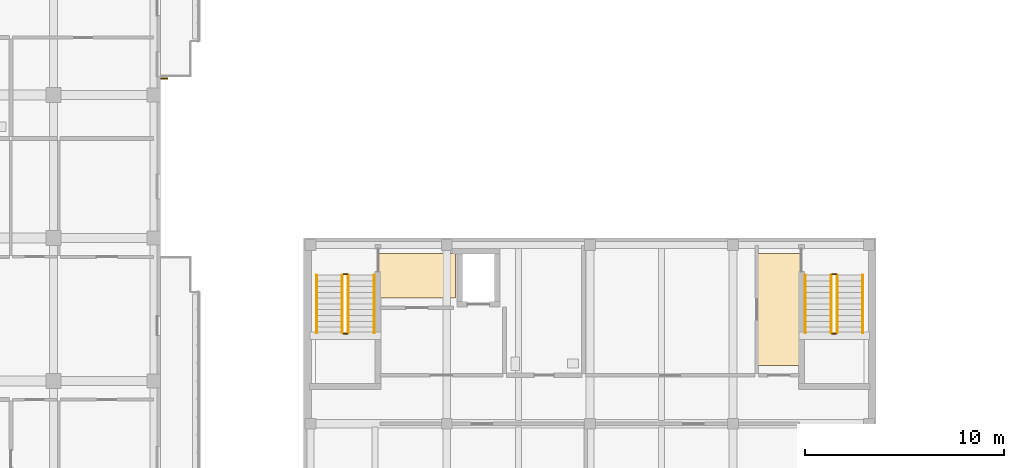
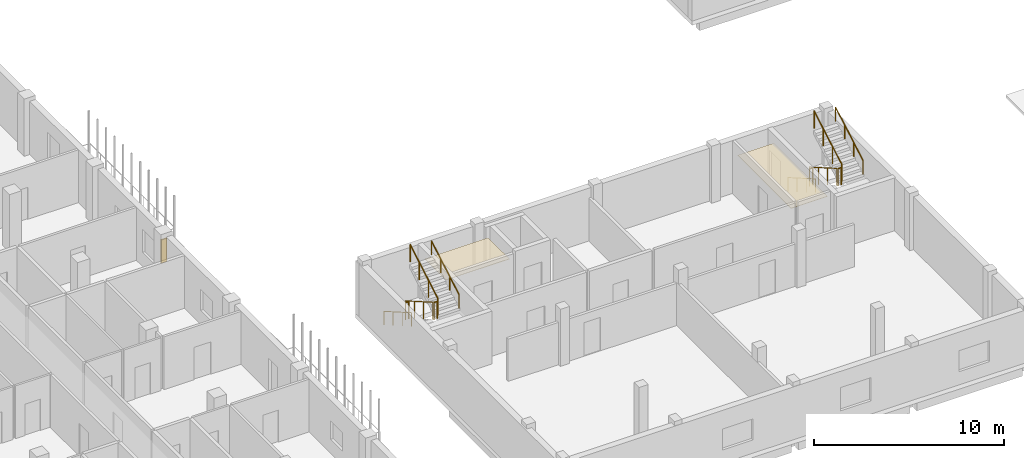
# One storey, part 58 of 73: 12 railings, 2 coverings, 1 shading device.
"""IFC4 building model written with IfcOpenShell, lengths in metres."""

from ifc_helpers import new_model, si_unit, derived_unit, direction, frame, origin, origin_2d, place, context, subcontext, project, spatial, polyline, rectangle, circle, outline, extrude, material, layer, layer_set, type_object, element, save


model = new_model("IFC4")

# Units and contexts
model_context = context("Model", 3, precision=1e-05, world=origin(), true_north=direction((0.0, 1.0)))
body_context = subcontext(model_context, "Body", "Model", "MODEL_VIEW")
ifc_project = project(units=[si_unit("LENGTHUNIT", "METRE"), si_unit("AREAUNIT", "SQUARE_METRE"), si_unit("VOLUMEUNIT", "CUBIC_METRE"), si_unit("PLANEANGLEUNIT", "RADIAN"), si_unit("MASSUNIT", "GRAM", prefix="KILO"), derived_unit("THERMALTRANSMITTANCEUNIT", [(si_unit("MASSUNIT", "GRAM", prefix="KILO"), 1), (si_unit("TIMEUNIT", "SECOND"), -3), (si_unit("THERMODYNAMICTEMPERATUREUNIT", "KELVIN"), -1)])], contexts=[model_context])

# Site, building, storey
site_placement = place(None, origin())
site = spatial("IfcSite", under=ifc_project, at=site_placement, CompositionType="ELEMENT")
building_placement = place(site_placement, origin())
building = spatial("IfcBuilding", under=site, at=building_placement, Name="Ochrekiln Boulevard Commons", CompositionType="ELEMENT")
storey_placement = place(building_placement, frame((0.0, 0.0, 4.89990234375)))
storey = spatial("IfcBuildingStorey", under=building, at=storey_placement, Name="L01", CompositionType="ELEMENT", Elevation=4.89990234375)

# Coverings
ifc_material_1 = material(Name="Mineral-fibre acoustic ceiling tile")
ifc_layer = layer(ifc_material_1, 0.02490234375)
ifc_layer_set = layer_set([ifc_layer], Name="Mineral-fibre acoustic ceiling tile")
covering_type = type_object("IfcCoveringType", Name="COV-CEIL-AC", PredefinedType="CEILING", material=ifc_layer_set)
covering_1_placement = place(storey_placement, frame((0.0, 0.0, 2.650146484375)))
element("IfcCovering", 1, at=covering_1_placement, inside=storey, type_object=covering_type, Name="L01 Acoustic Corridor Ceiling 27", PredefinedType="CEILING", context=body_context, shape_type="SweptSolid", body=[
    extrude(outline(polyline([(32.570068359375, 18.580078125), (36.429931640625, 18.580078125), (36.429931640625, 20.820068359375), (32.570068359375, 20.820068359375), (32.570068359375, 18.580078125)])), origin(), (0.0, 0.0, 1.0), 0.02490234375),
])
covering_2_placement = place(storey_placement, frame((0.0, 0.0, 2.650146484375)))
element("IfcCovering", 2, at=covering_2_placement, inside=storey, type_object=covering_type, Name="L01 Acoustic Corridor Ceiling 28", PredefinedType="CEILING", context=body_context, shape_type="SweptSolid", body=[
    extrude(outline(polyline([(51.6201171875, 15.179931640625), (53.830078125, 15.179931640625), (53.830078125, 20.820068359375), (51.6201171875, 20.820068359375), (51.6201171875, 15.179931640625)])), origin(), (0.0, 0.0, 1.0), 0.02490234375),
])

# Railings
ifc_material_2 = material(Name="Brushed stainless steel 316 tubular railing", Category="steel")
railing_type_1 = type_object("IfcRailingType", Name="RLG-HDR-900", PredefinedType="HANDRAIL", material=ifc_material_2)
railing_1_placement = place(storey_placement, frame((29.449951171875, 19.72998046875, 0.167236328125)))
element("IfcRailing", 3, at=railing_1_placement, inside=storey, type_object=railing_type_1, Name="L01 ST-W1 stair handrail 1", PredefinedType="HANDRAIL", context=body_context, shape_type="SweptSolid", body=[
    extrude(circle(Radius=0.02392578125, at=origin_2d()), frame((0.0, 0.0, 0.8759765625), z_axis=(0.0, -0.866523023801, 0.499137104634), x_axis=(1.0, 0.0, 0.0)), (0.0, 0.0, 1.0), 3.3466796875),
    extrude(circle(Radius=0.02099609375, at=origin_2d()), origin(), (0.0, 0.0, 1.0), 0.851806640625),
    extrude(circle(Radius=0.02099609375, at=origin_2d()), frame((0.0, -0.966552734375, 0.556884765625)), (0.0, 0.0, 1.0), 0.851806640625),
    extrude(circle(Radius=0.02099609375, at=origin_2d()), frame((0.0, -1.933349609375, 1.113525390625)), (0.0, 0.0, 1.0), 0.851806640625),
    extrude(circle(Radius=0.02099609375, at=origin_2d()), frame((0.0, -2.89990234375, 1.67041015625)), (0.0, 0.0, 1.0), 0.851806640625),
])
railing_2_placement = place(storey_placement, frame((32.35009765625, 16.830078125, 2.004638671875)))
element("IfcRailing", 4, at=railing_2_placement, inside=storey, type_object=railing_type_1, Name="L01 ST-W1 stair handrail 2", PredefinedType="HANDRAIL", context=body_context, shape_type="SweptSolid", body=[
    extrude(circle(Radius=0.02392578125, at=origin_2d()), frame((0.0, 0.0, 0.8759765625), z_axis=(0.0, 0.866523023801, 0.499137104634), x_axis=(-1.0, 0.0, 0.0)), (0.0, 0.0, 1.0), 3.3466796875),
    extrude(circle(Radius=0.02099609375, at=origin_2d()), origin(), (0.0, 0.0, 1.0), 0.851806640625),
    extrude(circle(Radius=0.02099609375, at=origin_2d()), frame((0.0, 0.966552734375, 0.556884765625)), (0.0, 0.0, 1.0), 0.851806640625),
    extrude(circle(Radius=0.02099609375, at=origin_2d()), frame((0.0, 1.933349609375, 1.113525390625)), (0.0, 0.0, 1.0), 0.851806640625),
    extrude(circle(Radius=0.02099609375, at=origin_2d()), frame((0.0, 2.89990234375, 1.67041015625)), (0.0, 0.0, 1.0), 0.851806640625),
])
railing_3_placement = place(storey_placement, frame((54.050048828125, 19.72998046875, 0.167236328125)))
element("IfcRailing", 5, at=railing_3_placement, inside=storey, type_object=railing_type_1, Name="L01 ST-W2 stair handrail 1", PredefinedType="HANDRAIL", context=body_context, shape_type="SweptSolid", body=[
    extrude(circle(Radius=0.02392578125, at=origin_2d()), frame((0.0, 0.0, 0.8759765625), z_axis=(0.0, -0.866523023801, 0.499137104634), x_axis=(1.0, 0.0, 0.0)), (0.0, 0.0, 1.0), 3.3466796875),
    extrude(circle(Radius=0.02099609375, at=origin_2d()), origin(), (0.0, 0.0, 1.0), 0.851806640625),
    extrude(circle(Radius=0.02099609375, at=origin_2d()), frame((0.0, -0.966552734375, 0.556884765625)), (0.0, 0.0, 1.0), 0.851806640625),
    extrude(circle(Radius=0.02099609375, at=origin_2d()), frame((0.0, -1.933349609375, 1.113525390625)), (0.0, 0.0, 1.0), 0.851806640625),
    extrude(circle(Radius=0.02099609375, at=origin_2d()), frame((0.0, -2.89990234375, 1.67041015625)), (0.0, 0.0, 1.0), 0.851806640625),
])
railing_4_placement = place(storey_placement, frame((56.949951171875, 16.830078125, 2.004638671875)))
element("IfcRailing", 6, at=railing_4_placement, inside=storey, type_object=railing_type_1, Name="L01 ST-W2 stair handrail 2", PredefinedType="HANDRAIL", context=body_context, shape_type="SweptSolid", body=[
    extrude(circle(Radius=0.02392578125, at=origin_2d()), frame((0.0, 0.0, 0.8759765625), z_axis=(0.0, 0.866523023801, 0.499137104634), x_axis=(-1.0, 0.0, 0.0)), (0.0, 0.0, 1.0), 3.3466796875),
    extrude(circle(Radius=0.02099609375, at=origin_2d()), origin(), (0.0, 0.0, 1.0), 0.851806640625),
    extrude(circle(Radius=0.02099609375, at=origin_2d()), frame((0.0, 0.966552734375, 0.556884765625)), (0.0, 0.0, 1.0), 0.851806640625),
    extrude(circle(Radius=0.02099609375, at=origin_2d()), frame((0.0, 1.933349609375, 1.113525390625)), (0.0, 0.0, 1.0), 0.851806640625),
    extrude(circle(Radius=0.02099609375, at=origin_2d()), frame((0.0, 2.89990234375, 1.67041015625)), (0.0, 0.0, 1.0), 0.851806640625),
])
railing_type_2 = type_object("IfcRailingType", Name="RLG-STR-1120", PredefinedType="BALUSTRADE", material=ifc_material_2)
railing_5_placement = place(storey_placement, frame((30.75, 19.72998046875, 0.167236328125)))
element("IfcRailing", 7, at=railing_5_placement, inside=storey, type_object=railing_type_2, Name="L01 ST-W1 stair guard 1", PredefinedType="BALUSTRADE", context=body_context, shape_type="SweptSolid", body=[
    extrude(circle(Radius=0.02392578125, at=origin_2d()), frame((0.0, 0.0, 1.09619140625), z_axis=(0.0, -0.866523023801, 0.499137104634), x_axis=(1.0, 0.0, 0.0)), (0.0, 0.0, 1.0), 3.3466796875),
    extrude(circle(Radius=0.02099609375, at=origin_2d()), origin(), (0.0, 0.0, 1.0), 1.072021484375),
    extrude(circle(Radius=0.02099609375, at=origin_2d()), frame((0.0, -0.966552734375, 0.556884765625)), (0.0, 0.0, 1.0), 1.072021484375),
    extrude(circle(Radius=0.02099609375, at=origin_2d()), frame((0.0, -1.933349609375, 1.113525390625)), (0.0, 0.0, 1.0), 1.072021484375),
    extrude(circle(Radius=0.02099609375, at=origin_2d()), frame((0.0, -2.89990234375, 1.67041015625)), (0.0, 0.0, 1.0), 1.072021484375),
])
railing_6_placement = place(storey_placement, frame((30.800048828125, 16.780029296875, 1.837646484375)))
element("IfcRailing", 8, at=railing_6_placement, inside=storey, type_object=railing_type_2, Name="L01 ST-W1 stair guard 2", PredefinedType="BALUSTRADE", context=body_context, shape_type="SweptSolid", body=[
    extrude(circle(Radius=0.02392578125, at=origin_2d()), frame((0.0, 0.0, 1.09619140625), z_axis=(1.0, 0.0, 0.0), x_axis=(0.0, 1.0, 0.0)), (0.0, 0.0, 1.0), 0.199951171875),
    extrude(circle(Radius=0.02099609375, at=origin_2d()), origin(), (0.0, 0.0, 1.0), 1.072021484375),
    extrude(circle(Radius=0.02099609375, at=origin_2d()), frame((0.199951171875, 0.0, 0.0)), (0.0, 0.0, 1.0), 1.072021484375),
])
railing_7_placement = place(storey_placement, frame((31.050048828125, 16.830078125, 2.004638671875)))
element("IfcRailing", 9, at=railing_7_placement, inside=storey, type_object=railing_type_2, Name="L01 ST-W1 stair guard 3", PredefinedType="BALUSTRADE", context=body_context, shape_type="SweptSolid", body=[
    extrude(circle(Radius=0.02392578125, at=origin_2d()), frame((0.0, 0.0, 1.09619140625), z_axis=(0.0, 0.866523023801, 0.499137104634), x_axis=(-1.0, 0.0, 0.0)), (0.0, 0.0, 1.0), 3.3466796875),
    extrude(circle(Radius=0.02099609375, at=origin_2d()), origin(), (0.0, 0.0, 1.0), 1.072021484375),
    extrude(circle(Radius=0.02099609375, at=origin_2d()), frame((0.0, 0.966552734375, 0.556884765625)), (0.0, 0.0, 1.0), 1.072021484375),
    extrude(circle(Radius=0.02099609375, at=origin_2d()), frame((0.0, 1.933349609375, 1.113525390625)), (0.0, 0.0, 1.0), 1.072021484375),
    extrude(circle(Radius=0.02099609375, at=origin_2d()), frame((0.0, 2.89990234375, 1.67041015625)), (0.0, 0.0, 1.0), 1.072021484375),
])
railing_8_placement = place(storey_placement, frame((30.800048828125, 19.780029296875, 0.0)))
element("IfcRailing", 10, at=railing_8_placement, inside=storey, type_object=railing_type_2, Name="L01 ST-W1 stair guard 4", PredefinedType="BALUSTRADE", context=body_context, shape_type="SweptSolid", body=[
    extrude(circle(Radius=0.02392578125, at=origin_2d()), frame((0.0, 0.0, 1.09619140625), z_axis=(1.0, 0.0, 0.0), x_axis=(0.0, 1.0, 0.0)), (0.0, 0.0, 1.0), 0.199951171875),
    extrude(circle(Radius=0.02099609375, at=origin_2d()), origin(), (0.0, 0.0, 1.0), 1.072021484375),
    extrude(circle(Radius=0.02099609375, at=origin_2d()), frame((0.199951171875, 0.0, 0.0)), (0.0, 0.0, 1.0), 1.072021484375),
])
railing_9_placement = place(storey_placement, frame((55.35009765625, 19.72998046875, 0.167236328125)))
element("IfcRailing", 11, at=railing_9_placement, inside=storey, type_object=railing_type_2, Name="L01 ST-W2 stair guard 1", PredefinedType="BALUSTRADE", context=body_context, shape_type="SweptSolid", body=[
    extrude(circle(Radius=0.02392578125, at=origin_2d()), frame((0.0, 0.0, 1.09619140625), z_axis=(0.0, -0.866523023801, 0.499137104634), x_axis=(1.0, 0.0, 0.0)), (0.0, 0.0, 1.0), 3.3466796875),
    extrude(circle(Radius=0.02099609375, at=origin_2d()), origin(), (0.0, 0.0, 1.0), 1.072021484375),
    extrude(circle(Radius=0.02099609375, at=origin_2d()), frame((0.0, -0.966552734375, 0.556884765625)), (0.0, 0.0, 1.0), 1.072021484375),
    extrude(circle(Radius=0.02099609375, at=origin_2d()), frame((0.0, -1.933349609375, 1.113525390625)), (0.0, 0.0, 1.0), 1.072021484375),
    extrude(circle(Radius=0.02099609375, at=origin_2d()), frame((0.0, -2.89990234375, 1.67041015625)), (0.0, 0.0, 1.0), 1.072021484375),
])
railing_10_placement = place(storey_placement, frame((55.39990234375, 16.780029296875, 1.837646484375)))
element("IfcRailing", 12, at=railing_10_placement, inside=storey, type_object=railing_type_2, Name="L01 ST-W2 stair guard 2", PredefinedType="BALUSTRADE", context=body_context, shape_type="SweptSolid", body=[
    extrude(circle(Radius=0.02392578125, at=origin_2d()), frame((0.0, 0.0, 1.09619140625), z_axis=(1.0, 0.0, 0.0), x_axis=(0.0, 1.0, 0.0)), (0.0, 0.0, 1.0), 0.2001953125),
    extrude(circle(Radius=0.02099609375, at=origin_2d()), origin(), (0.0, 0.0, 1.0), 1.072021484375),
    extrude(circle(Radius=0.02099609375, at=origin_2d()), frame((0.2001953125, 0.0, 0.0)), (0.0, 0.0, 1.0), 1.072021484375),
])
railing_11_placement = place(storey_placement, frame((55.64990234375, 16.830078125, 2.004638671875)))
element("IfcRailing", 13, at=railing_11_placement, inside=storey, type_object=railing_type_2, Name="L01 ST-W2 stair guard 3", PredefinedType="BALUSTRADE", context=body_context, shape_type="SweptSolid", body=[
    extrude(circle(Radius=0.02392578125, at=origin_2d()), frame((0.0, 0.0, 1.09619140625), z_axis=(0.0, 0.866523023801, 0.499137104634), x_axis=(-1.0, 0.0, 0.0)), (0.0, 0.0, 1.0), 3.3466796875),
    extrude(circle(Radius=0.02099609375, at=origin_2d()), origin(), (0.0, 0.0, 1.0), 1.072021484375),
    extrude(circle(Radius=0.02099609375, at=origin_2d()), frame((0.0, 0.966552734375, 0.556884765625)), (0.0, 0.0, 1.0), 1.072021484375),
    extrude(circle(Radius=0.02099609375, at=origin_2d()), frame((0.0, 1.933349609375, 1.113525390625)), (0.0, 0.0, 1.0), 1.072021484375),
    extrude(circle(Radius=0.02099609375, at=origin_2d()), frame((0.0, 2.89990234375, 1.67041015625)), (0.0, 0.0, 1.0), 1.072021484375),
])
railing_12_placement = place(storey_placement, frame((55.39990234375, 19.780029296875, 0.0)))
element("IfcRailing", 14, at=railing_12_placement, inside=storey, type_object=railing_type_2, Name="L01 ST-W2 stair guard 4", PredefinedType="BALUSTRADE", context=body_context, shape_type="SweptSolid", body=[
    extrude(circle(Radius=0.02392578125, at=origin_2d()), frame((0.0, 0.0, 1.09619140625), z_axis=(1.0, 0.0, 0.0), x_axis=(0.0, 1.0, 0.0)), (0.0, 0.0, 1.0), 0.2001953125),
    extrude(circle(Radius=0.02099609375, at=origin_2d()), origin(), (0.0, 0.0, 1.0), 1.072021484375),
    extrude(circle(Radius=0.02099609375, at=origin_2d()), frame((0.2001953125, 0.0, 0.0)), (0.0, 0.0, 1.0), 1.072021484375),
])

# Shading device
ifc_material_3 = material(Name="Glazed architectural terracotta ASTM C1405", Category="masonry")
shading_device_type = type_object("IfcShadingDeviceType", Name="SHD-FIN-TERRA", PredefinedType="JALOUSIE", material=ifc_material_3)
shading_device_placement = place(storey_placement, frame((21.77001953125, 29.635009765625, 0.900146484375), z_axis=(0.0, 0.0, 1.0), x_axis=(1.0, 0.0, 0.0)))
element("IfcShadingDevice", 15, at=shading_device_placement, inside=storey, type_object=shading_device_type, Name="Terracotta Solar Shading Fin SF-01 (73)", PredefinedType="JALOUSIE", context=body_context, shape_type="SweptSolid", body=[
    extrude(rectangle(XDim=0.35009765625, YDim=0.080078125, at=origin_2d()), origin(), (0.0, 0.0, 1.0), 1.5),
])

save(model, "model.ifc")
